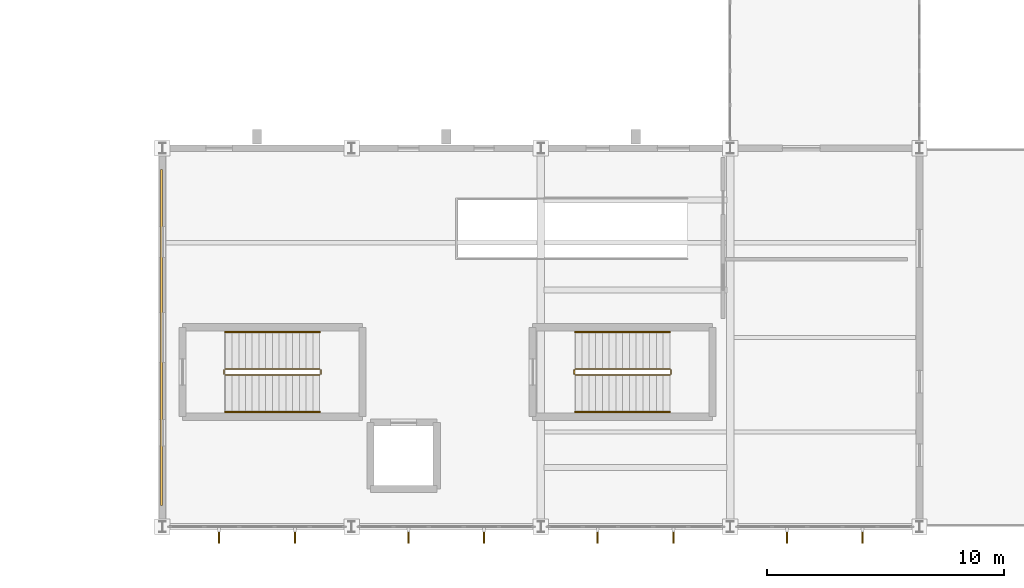
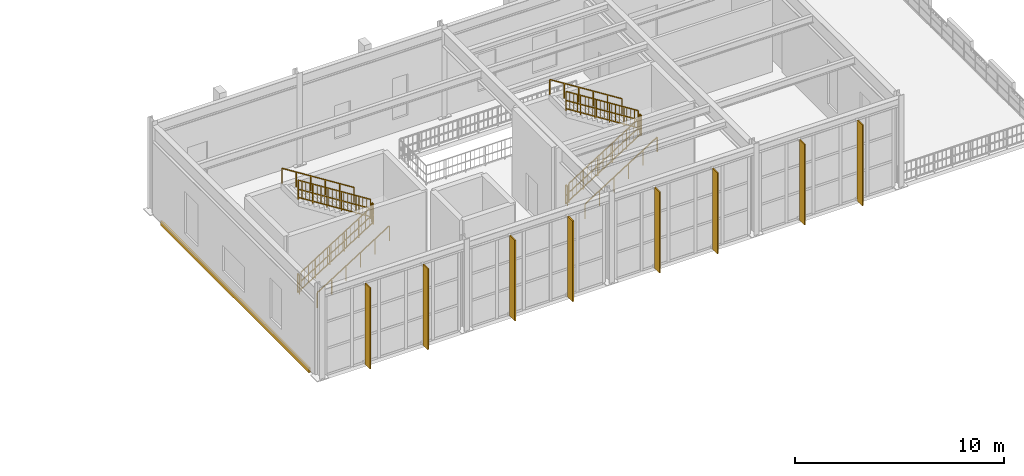
# One storey, part 76 of 82: 12 railings, 8 shading devices, 1 covering.
"""IFC4 building model written with IfcOpenShell, lengths in metres."""

from ifc_helpers import new_model, si_unit, direction, frame, origin, origin_2d, place, context, subcontext, project, spatial, rectangle, extrude, material, layer, layer_set, type_object, element, save


model = new_model("IFC4")

# Units and contexts
model_context = context("Model", 3, precision=1e-05, world=origin(), true_north=direction((0.0, 1.0)))
body_context = subcontext(model_context, "Body", "Model", "MODEL_VIEW")
ifc_project = project(units=[si_unit("LENGTHUNIT", "METRE"), si_unit("AREAUNIT", "SQUARE_METRE"), si_unit("VOLUMEUNIT", "CUBIC_METRE"), si_unit("PLANEANGLEUNIT", "RADIAN"), si_unit("MASSUNIT", "GRAM", prefix="KILO")], contexts=[model_context])

# Site, building, storey
site_placement = place(None, origin())
site = spatial("IfcSite", under=ifc_project, at=site_placement, CompositionType="ELEMENT")
building_placement = place(site_placement, origin())
building = spatial("IfcBuilding", under=site, at=building_placement, Name="Serraluz Foothill Cableway Terminal", CompositionType="ELEMENT")
storey_placement = place(building_placement, frame((0.0, 0.0, 9.60009765625)))
storey = spatial("IfcBuildingStorey", under=building, at=storey_placement, Name="L02", CompositionType="ELEMENT", Elevation=9.60009765625)

# Covering
ifc_material_1 = material(Name="Fired clay masonry brick (f'm 12 MPa)", Category="masonry")
ifc_layer_1 = layer(ifc_material_1, 0.090087890625, Name="Fired clay masonry brick (f'm 12 MPa)", Category="masonry")
ifc_layer_set_1 = layer_set([ifc_layer_1], Name="Fired clay masonry brick (f'm 12 MPa)")
covering_type = type_object("IfcCoveringType", Name="TYP-COV-CLAD-90", PredefinedType="CLADDING", material=ifc_layer_set_1)
covering_placement = place(storey_placement, frame((95.969970703125, 8.0, -0.2802734375), z_axis=(0.0, 0.0, 1.0), x_axis=(0.0, 1.0, 0.0)))
element("IfcCovering", 1, at=covering_placement, inside=storey, type_object=covering_type, Name="Terracotta Spandrel Relief Band COV-CLAD-V3W-1", PredefinedType="CLADDING", context=body_context, shape_type="SweptSolid", body=[
    extrude(rectangle(XDim=14.199951171875, YDim=0.090087890625, at=origin_2d()), origin(), (0.0, 0.0, 1.0), 0.280029296875),
])

# Railings
ifc_material_2 = material(Name="Steel ASTM A572 Grade 50", Category="steel")
ifc_layer_2 = layer(ifc_material_2, 0.054931640625, Name="Steel ASTM A572 Grade 50", Category="steel")
ifc_layer_set_2 = layer_set([ifc_layer_2], Name="Steel ASTM A572 Grade 50")
railing_type_1 = type_object("IfcRailingType", Name="TYP-RL-GRD-1150", PredefinedType="GUARDRAIL", material=ifc_layer_set_2)
railing_1_placement = place(storey_placement, frame((98.659912109375, 6.409912109375, 0.179931640625)))
element("IfcRailing", 2, at=railing_1_placement, inside=storey, type_object=railing_type_1, Name="L02 ST-06 stair guard 1", PredefinedType="GUARDRAIL", context=body_context, shape_type="SweptSolid", body=[
    extrude(rectangle(XDim=0.048095703125, YDim=0.048095703125, at=origin_2d()), frame((0.0, 0.0, 1.1259765625), z_axis=(0.845486444383, 0.0, 0.533996884227), x_axis=(0.0, 1.0, 0.0)), (0.0, 0.0, 1.0), 4.71923828125),
    extrude(rectangle(XDim=0.048095703125, YDim=0.048095703125, at=origin_2d()), frame((0.0, 0.0, 0.597900390625), z_axis=(0.845486444383, 0.0, 0.533996884227), x_axis=(0.0, 1.0, 0.0)), (0.0, 0.0, 1.0), 4.71923828125),
    extrude(rectangle(XDim=0.048095703125, YDim=0.048095703125, at=origin_2d()), frame((0.0, 0.0, 0.1201171875), z_axis=(0.845486444383, 0.0, 0.533996884227), x_axis=(0.0, 1.0, 0.0)), (0.0, 0.0, 1.0), 4.71923828125),
    extrude(rectangle(XDim=0.02001953125, YDim=0.02001953125, at=origin_2d()), frame((0.2099609375, 0.0, 0.252685546875)), (0.0, 0.0, 1.0), 0.981689453125),
    extrude(rectangle(XDim=0.02001953125, YDim=0.02001953125, at=origin_2d()), frame((0.419921875, 0.0, 0.38525390625)), (0.0, 0.0, 1.0), 0.981689453125),
    extrude(rectangle(XDim=0.02001953125, YDim=0.02001953125, at=origin_2d()), frame((0.6298828125, 0.0, 0.517822265625)), (0.0, 0.0, 1.0), 0.981689453125),
    extrude(rectangle(XDim=0.02001953125, YDim=0.02001953125, at=origin_2d()), frame((1.050048828125, 0.0, 0.783203125)), (0.0, 0.0, 1.0), 0.981689453125),
    extrude(rectangle(XDim=0.02001953125, YDim=0.02001953125, at=origin_2d()), frame((1.260009765625, 0.0, 0.915771484375)), (0.0, 0.0, 1.0), 0.981689453125),
    extrude(rectangle(XDim=0.02001953125, YDim=0.02001953125, at=origin_2d()), frame((1.469970703125, 0.0, 1.04833984375)), (0.0, 0.0, 1.0), 0.981689453125),
    extrude(rectangle(XDim=0.02001953125, YDim=0.02001953125, at=origin_2d()), frame((1.679931640625, 0.0, 1.18115234375)), (0.0, 0.0, 1.0), 0.981689453125),
    extrude(rectangle(XDim=0.02001953125, YDim=0.02001953125, at=origin_2d()), frame((1.889892578125, 0.0, 1.313720703125)), (0.0, 0.0, 1.0), 0.981689453125),
    extrude(rectangle(XDim=0.02001953125, YDim=0.02001953125, at=origin_2d()), frame((2.10009765625, 0.0, 1.4462890625)), (0.0, 0.0, 1.0), 0.981689453125),
    extrude(rectangle(XDim=0.02001953125, YDim=0.02001953125, at=origin_2d()), frame((2.31005859375, 0.0, 1.578857421875)), (0.0, 0.0, 1.0), 0.981689453125),
    extrude(rectangle(XDim=0.02001953125, YDim=0.02001953125, at=origin_2d()), frame((2.52001953125, 0.0, 1.711669921875)), (0.0, 0.0, 1.0), 0.981689453125),
    extrude(rectangle(XDim=0.02001953125, YDim=0.02001953125, at=origin_2d()), frame((2.72998046875, 0.0, 1.84423828125)), (0.0, 0.0, 1.0), 0.981689453125),
    extrude(rectangle(XDim=0.02001953125, YDim=0.02001953125, at=origin_2d()), frame((2.93994140625, 0.0, 1.976806640625)), (0.0, 0.0, 1.0), 0.981689453125),
    extrude(rectangle(XDim=0.02001953125, YDim=0.02001953125, at=origin_2d()), frame((3.360107421875, 0.0, 2.2421875)), (0.0, 0.0, 1.0), 0.981689453125),
    extrude(rectangle(XDim=0.02001953125, YDim=0.02001953125, at=origin_2d()), frame((3.570068359375, 0.0, 2.374755859375)), (0.0, 0.0, 1.0), 0.981689453125),
    extrude(rectangle(XDim=0.02001953125, YDim=0.02001953125, at=origin_2d()), frame((3.780029296875, 0.0, 2.50732421875)), (0.0, 0.0, 1.0), 0.981689453125),
    extrude(rectangle(XDim=0.0439453125, YDim=0.0439453125, at=origin_2d()), origin(), (0.0, 0.0, 1.0), 1.101806640625),
    extrude(rectangle(XDim=0.0439453125, YDim=0.0439453125, at=origin_2d()), frame((0.798095703125, 0.0, 0.50390625)), (0.0, 0.0, 1.0), 1.101806640625),
    extrude(rectangle(XDim=0.0439453125, YDim=0.0439453125, at=origin_2d()), frame((1.595947265625, 0.0, 1.008056640625)), (0.0, 0.0, 1.0), 1.101806640625),
    extrude(rectangle(XDim=0.0439453125, YDim=0.0439453125, at=origin_2d()), frame((2.39404296875, 0.0, 1.511962890625)), (0.0, 0.0, 1.0), 1.101806640625),
    extrude(rectangle(XDim=0.0439453125, YDim=0.0439453125, at=origin_2d()), frame((3.19189453125, 0.0, 2.01611328125)), (0.0, 0.0, 1.0), 1.101806640625),
    extrude(rectangle(XDim=0.0439453125, YDim=0.0439453125, at=origin_2d()), frame((3.989990234375, 0.0, 2.52001953125)), (0.0, 0.0, 1.0), 1.101806640625),
])
railing_2_placement = place(storey_placement, frame((102.699951171875, 6.4599609375, 2.699951171875)))
element("IfcRailing", 3, at=railing_2_placement, inside=storey, type_object=railing_type_1, Name="L02 ST-06 stair guard 2", PredefinedType="GUARDRAIL", context=body_context, shape_type="SweptSolid", body=[
    extrude(rectangle(XDim=0.048095703125, YDim=0.048095703125, at=origin_2d()), frame((0.0, 0.0, 1.1259765625), z_axis=(0.0, 1.0, 0.0), x_axis=(-1.0, 0.0, 0.0)), (0.0, 0.0, 1.0), 0.16015625),
    extrude(rectangle(XDim=0.048095703125, YDim=0.048095703125, at=origin_2d()), frame((0.0, 0.0, 0.597900390625), z_axis=(0.0, 1.0, 0.0), x_axis=(-1.0, 0.0, 0.0)), (0.0, 0.0, 1.0), 0.16015625),
    extrude(rectangle(XDim=0.048095703125, YDim=0.048095703125, at=origin_2d()), frame((0.0, 0.0, 0.1201171875), z_axis=(0.0, 1.0, 0.0), x_axis=(-1.0, 0.0, 0.0)), (0.0, 0.0, 1.0), 0.16015625),
    extrude(rectangle(XDim=0.0439453125, YDim=0.0439453125, at=origin_2d()), origin(), (0.0, 0.0, 1.0), 1.101806640625),
    extrude(rectangle(XDim=0.0439453125, YDim=0.0439453125, at=origin_2d()), frame((0.0, 0.16015625, 0.0)), (0.0, 0.0, 1.0), 1.101806640625),
])
railing_3_placement = place(storey_placement, frame((102.64990234375, 6.669921875, 2.8798828125)))
element("IfcRailing", 4, at=railing_3_placement, inside=storey, type_object=railing_type_1, Name="L02 ST-06 stair guard 3", PredefinedType="GUARDRAIL", context=body_context, shape_type="SweptSolid", body=[
    extrude(rectangle(XDim=0.048095703125, YDim=0.048095703125, at=origin_2d()), frame((0.0, 0.0, 1.1259765625), z_axis=(-0.845486444383, 0.0, 0.533996884227), x_axis=(0.0, -1.0, 0.0)), (0.0, 0.0, 1.0), 4.71923828125),
    extrude(rectangle(XDim=0.048095703125, YDim=0.048095703125, at=origin_2d()), frame((0.0, 0.0, 0.597900390625), z_axis=(-0.845486444383, 0.0, 0.533996884227), x_axis=(0.0, -1.0, 0.0)), (0.0, 0.0, 1.0), 4.71923828125),
    extrude(rectangle(XDim=0.048095703125, YDim=0.048095703125, at=origin_2d()), frame((0.0, 0.0, 0.1201171875), z_axis=(-0.845486444383, 0.0, 0.533996884227), x_axis=(0.0, -1.0, 0.0)), (0.0, 0.0, 1.0), 4.71923828125),
    extrude(rectangle(XDim=0.02001953125, YDim=0.02001953125, at=origin_2d()), frame((-0.2099609375, 0.0, 0.252685546875)), (0.0, 0.0, 1.0), 0.981689453125),
    extrude(rectangle(XDim=0.02001953125, YDim=0.02001953125, at=origin_2d()), frame((-0.419921875, 0.0, 0.38525390625)), (0.0, 0.0, 1.0), 0.981689453125),
    extrude(rectangle(XDim=0.02001953125, YDim=0.02001953125, at=origin_2d()), frame((-0.6298828125, 0.0, 0.517822265625)), (0.0, 0.0, 1.0), 0.981689453125),
    extrude(rectangle(XDim=0.02001953125, YDim=0.02001953125, at=origin_2d()), frame((-1.050048828125, 0.0, 0.783203125)), (0.0, 0.0, 1.0), 0.981689453125),
    extrude(rectangle(XDim=0.02001953125, YDim=0.02001953125, at=origin_2d()), frame((-1.260009765625, 0.0, 0.915771484375)), (0.0, 0.0, 1.0), 0.981689453125),
    extrude(rectangle(XDim=0.02001953125, YDim=0.02001953125, at=origin_2d()), frame((-1.469970703125, 0.0, 1.04833984375)), (0.0, 0.0, 1.0), 0.981689453125),
    extrude(rectangle(XDim=0.02001953125, YDim=0.02001953125, at=origin_2d()), frame((-1.679931640625, 0.0, 1.18115234375)), (0.0, 0.0, 1.0), 0.981689453125),
    extrude(rectangle(XDim=0.02001953125, YDim=0.02001953125, at=origin_2d()), frame((-1.889892578125, 0.0, 1.313720703125)), (0.0, 0.0, 1.0), 0.981689453125),
    extrude(rectangle(XDim=0.02001953125, YDim=0.02001953125, at=origin_2d()), frame((-2.10009765625, 0.0, 1.4462890625)), (0.0, 0.0, 1.0), 0.981689453125),
    extrude(rectangle(XDim=0.02001953125, YDim=0.02001953125, at=origin_2d()), frame((-2.31005859375, 0.0, 1.578857421875)), (0.0, 0.0, 1.0), 0.981689453125),
    extrude(rectangle(XDim=0.02001953125, YDim=0.02001953125, at=origin_2d()), frame((-2.52001953125, 0.0, 1.711669921875)), (0.0, 0.0, 1.0), 0.981689453125),
    extrude(rectangle(XDim=0.02001953125, YDim=0.02001953125, at=origin_2d()), frame((-2.72998046875, 0.0, 1.84423828125)), (0.0, 0.0, 1.0), 0.981689453125),
    extrude(rectangle(XDim=0.02001953125, YDim=0.02001953125, at=origin_2d()), frame((-2.93994140625, 0.0, 1.976806640625)), (0.0, 0.0, 1.0), 0.981689453125),
    extrude(rectangle(XDim=0.02001953125, YDim=0.02001953125, at=origin_2d()), frame((-3.360107421875, 0.0, 2.2421875)), (0.0, 0.0, 1.0), 0.981689453125),
    extrude(rectangle(XDim=0.02001953125, YDim=0.02001953125, at=origin_2d()), frame((-3.570068359375, 0.0, 2.374755859375)), (0.0, 0.0, 1.0), 0.981689453125),
    extrude(rectangle(XDim=0.02001953125, YDim=0.02001953125, at=origin_2d()), frame((-3.780029296875, 0.0, 2.50732421875)), (0.0, 0.0, 1.0), 0.981689453125),
    extrude(rectangle(XDim=0.0439453125, YDim=0.0439453125, at=origin_2d()), origin(), (0.0, 0.0, 1.0), 1.101806640625),
    extrude(rectangle(XDim=0.0439453125, YDim=0.0439453125, at=origin_2d()), frame((-0.798095703125, 0.0, 0.50390625)), (0.0, 0.0, 1.0), 1.101806640625),
    extrude(rectangle(XDim=0.0439453125, YDim=0.0439453125, at=origin_2d()), frame((-1.595947265625, 0.0, 1.008056640625)), (0.0, 0.0, 1.0), 1.101806640625),
    extrude(rectangle(XDim=0.0439453125, YDim=0.0439453125, at=origin_2d()), frame((-2.39404296875, 0.0, 1.511962890625)), (0.0, 0.0, 1.0), 1.101806640625),
    extrude(rectangle(XDim=0.0439453125, YDim=0.0439453125, at=origin_2d()), frame((-3.19189453125, 0.0, 2.01611328125)), (0.0, 0.0, 1.0), 1.101806640625),
    extrude(rectangle(XDim=0.0439453125, YDim=0.0439453125, at=origin_2d()), frame((-3.989990234375, 0.0, 2.52001953125)), (0.0, 0.0, 1.0), 1.101806640625),
])
railing_4_placement = place(storey_placement, frame((98.610107421875, 6.4599609375, 0.0)))
element("IfcRailing", 5, at=railing_4_placement, inside=storey, type_object=railing_type_1, Name="L02 ST-06 stair guard 4", PredefinedType="GUARDRAIL", context=body_context, shape_type="SweptSolid", body=[
    extrude(rectangle(XDim=0.048095703125, YDim=0.048095703125, at=origin_2d()), frame((0.0, 0.0, 1.1259765625), z_axis=(0.0, 1.0, 0.0), x_axis=(-1.0, 0.0, 0.0)), (0.0, 0.0, 1.0), 0.16015625),
    extrude(rectangle(XDim=0.048095703125, YDim=0.048095703125, at=origin_2d()), frame((0.0, 0.0, 0.597900390625), z_axis=(0.0, 1.0, 0.0), x_axis=(-1.0, 0.0, 0.0)), (0.0, 0.0, 1.0), 0.16015625),
    extrude(rectangle(XDim=0.048095703125, YDim=0.048095703125, at=origin_2d()), frame((0.0, 0.0, 0.1201171875), z_axis=(0.0, 1.0, 0.0), x_axis=(-1.0, 0.0, 0.0)), (0.0, 0.0, 1.0), 0.16015625),
    extrude(rectangle(XDim=0.0439453125, YDim=0.0439453125, at=origin_2d()), origin(), (0.0, 0.0, 1.0), 1.101806640625),
    extrude(rectangle(XDim=0.0439453125, YDim=0.0439453125, at=origin_2d()), frame((0.0, 0.16015625, 0.0)), (0.0, 0.0, 1.0), 1.101806640625),
])
railing_5_placement = place(storey_placement, frame((113.4599609375, 6.409912109375, 0.179931640625)))
element("IfcRailing", 6, at=railing_5_placement, inside=storey, type_object=railing_type_1, Name="L02 ST-07 stair guard 1", PredefinedType="GUARDRAIL", context=body_context, shape_type="SweptSolid", body=[
    extrude(rectangle(XDim=0.048095703125, YDim=0.048095703125, at=origin_2d()), frame((0.0, 0.0, 1.1259765625), z_axis=(0.845486444383, 0.0, 0.533996884227), x_axis=(0.0, 1.0, 0.0)), (0.0, 0.0, 1.0), 4.71923828125),
    extrude(rectangle(XDim=0.048095703125, YDim=0.048095703125, at=origin_2d()), frame((0.0, 0.0, 0.597900390625), z_axis=(0.845486444383, 0.0, 0.533996884227), x_axis=(0.0, 1.0, 0.0)), (0.0, 0.0, 1.0), 4.71923828125),
    extrude(rectangle(XDim=0.048095703125, YDim=0.048095703125, at=origin_2d()), frame((0.0, 0.0, 0.1201171875), z_axis=(0.845486444383, 0.0, 0.533996884227), x_axis=(0.0, 1.0, 0.0)), (0.0, 0.0, 1.0), 4.71923828125),
    extrude(rectangle(XDim=0.02001953125, YDim=0.02001953125, at=origin_2d()), frame((0.2099609375, 0.0, 0.252685546875)), (0.0, 0.0, 1.0), 0.981689453125),
    extrude(rectangle(XDim=0.02001953125, YDim=0.02001953125, at=origin_2d()), frame((0.419921875, 0.0, 0.38525390625)), (0.0, 0.0, 1.0), 0.981689453125),
    extrude(rectangle(XDim=0.02001953125, YDim=0.02001953125, at=origin_2d()), frame((0.6298828125, 0.0, 0.517822265625)), (0.0, 0.0, 1.0), 0.981689453125),
    extrude(rectangle(XDim=0.02001953125, YDim=0.02001953125, at=origin_2d()), frame((1.050048828125, 0.0, 0.783203125)), (0.0, 0.0, 1.0), 0.981689453125),
    extrude(rectangle(XDim=0.02001953125, YDim=0.02001953125, at=origin_2d()), frame((1.260009765625, 0.0, 0.915771484375)), (0.0, 0.0, 1.0), 0.981689453125),
    extrude(rectangle(XDim=0.02001953125, YDim=0.02001953125, at=origin_2d()), frame((1.469970703125, 0.0, 1.04833984375)), (0.0, 0.0, 1.0), 0.981689453125),
    extrude(rectangle(XDim=0.02001953125, YDim=0.02001953125, at=origin_2d()), frame((1.679931640625, 0.0, 1.18115234375)), (0.0, 0.0, 1.0), 0.981689453125),
    extrude(rectangle(XDim=0.02001953125, YDim=0.02001953125, at=origin_2d()), frame((1.889892578125, 0.0, 1.313720703125)), (0.0, 0.0, 1.0), 0.981689453125),
    extrude(rectangle(XDim=0.02001953125, YDim=0.02001953125, at=origin_2d()), frame((2.10009765625, 0.0, 1.4462890625)), (0.0, 0.0, 1.0), 0.981689453125),
    extrude(rectangle(XDim=0.02001953125, YDim=0.02001953125, at=origin_2d()), frame((2.31005859375, 0.0, 1.578857421875)), (0.0, 0.0, 1.0), 0.981689453125),
    extrude(rectangle(XDim=0.02001953125, YDim=0.02001953125, at=origin_2d()), frame((2.52001953125, 0.0, 1.711669921875)), (0.0, 0.0, 1.0), 0.981689453125),
    extrude(rectangle(XDim=0.02001953125, YDim=0.02001953125, at=origin_2d()), frame((2.72998046875, 0.0, 1.84423828125)), (0.0, 0.0, 1.0), 0.981689453125),
    extrude(rectangle(XDim=0.02001953125, YDim=0.02001953125, at=origin_2d()), frame((2.93994140625, 0.0, 1.976806640625)), (0.0, 0.0, 1.0), 0.981689453125),
    extrude(rectangle(XDim=0.02001953125, YDim=0.02001953125, at=origin_2d()), frame((3.360107421875, 0.0, 2.2421875)), (0.0, 0.0, 1.0), 0.981689453125),
    extrude(rectangle(XDim=0.02001953125, YDim=0.02001953125, at=origin_2d()), frame((3.570068359375, 0.0, 2.374755859375)), (0.0, 0.0, 1.0), 0.981689453125),
    extrude(rectangle(XDim=0.02001953125, YDim=0.02001953125, at=origin_2d()), frame((3.780029296875, 0.0, 2.50732421875)), (0.0, 0.0, 1.0), 0.981689453125),
    extrude(rectangle(XDim=0.0439453125, YDim=0.0439453125, at=origin_2d()), origin(), (0.0, 0.0, 1.0), 1.101806640625),
    extrude(rectangle(XDim=0.0439453125, YDim=0.0439453125, at=origin_2d()), frame((0.798095703125, 0.0, 0.50390625)), (0.0, 0.0, 1.0), 1.101806640625),
    extrude(rectangle(XDim=0.0439453125, YDim=0.0439453125, at=origin_2d()), frame((1.595947265625, 0.0, 1.008056640625)), (0.0, 0.0, 1.0), 1.101806640625),
    extrude(rectangle(XDim=0.0439453125, YDim=0.0439453125, at=origin_2d()), frame((2.39404296875, 0.0, 1.511962890625)), (0.0, 0.0, 1.0), 1.101806640625),
    extrude(rectangle(XDim=0.0439453125, YDim=0.0439453125, at=origin_2d()), frame((3.19189453125, 0.0, 2.01611328125)), (0.0, 0.0, 1.0), 1.101806640625),
    extrude(rectangle(XDim=0.0439453125, YDim=0.0439453125, at=origin_2d()), frame((3.989990234375, 0.0, 2.52001953125)), (0.0, 0.0, 1.0), 1.101806640625),
])
railing_6_placement = place(storey_placement, frame((117.5, 6.4599609375, 2.699951171875)))
element("IfcRailing", 7, at=railing_6_placement, inside=storey, type_object=railing_type_1, Name="L02 ST-07 stair guard 2", PredefinedType="GUARDRAIL", context=body_context, shape_type="SweptSolid", body=[
    extrude(rectangle(XDim=0.048095703125, YDim=0.048095703125, at=origin_2d()), frame((0.0, 0.0, 1.1259765625), z_axis=(0.0, 1.0, 0.0), x_axis=(-1.0, 0.0, 0.0)), (0.0, 0.0, 1.0), 0.16015625),
    extrude(rectangle(XDim=0.048095703125, YDim=0.048095703125, at=origin_2d()), frame((0.0, 0.0, 0.597900390625), z_axis=(0.0, 1.0, 0.0), x_axis=(-1.0, 0.0, 0.0)), (0.0, 0.0, 1.0), 0.16015625),
    extrude(rectangle(XDim=0.048095703125, YDim=0.048095703125, at=origin_2d()), frame((0.0, 0.0, 0.1201171875), z_axis=(0.0, 1.0, 0.0), x_axis=(-1.0, 0.0, 0.0)), (0.0, 0.0, 1.0), 0.16015625),
    extrude(rectangle(XDim=0.0439453125, YDim=0.0439453125, at=origin_2d()), origin(), (0.0, 0.0, 1.0), 1.101806640625),
    extrude(rectangle(XDim=0.0439453125, YDim=0.0439453125, at=origin_2d()), frame((0.0, 0.16015625, 0.0)), (0.0, 0.0, 1.0), 1.101806640625),
])
railing_7_placement = place(storey_placement, frame((117.449951171875, 6.669921875, 2.8798828125)))
element("IfcRailing", 8, at=railing_7_placement, inside=storey, type_object=railing_type_1, Name="L02 ST-07 stair guard 3", PredefinedType="GUARDRAIL", context=body_context, shape_type="SweptSolid", body=[
    extrude(rectangle(XDim=0.048095703125, YDim=0.048095703125, at=origin_2d()), frame((0.0, 0.0, 1.1259765625), z_axis=(-0.845486444383, 0.0, 0.533996884227), x_axis=(0.0, -1.0, 0.0)), (0.0, 0.0, 1.0), 4.71923828125),
    extrude(rectangle(XDim=0.048095703125, YDim=0.048095703125, at=origin_2d()), frame((0.0, 0.0, 0.597900390625), z_axis=(-0.845486444383, 0.0, 0.533996884227), x_axis=(0.0, -1.0, 0.0)), (0.0, 0.0, 1.0), 4.71923828125),
    extrude(rectangle(XDim=0.048095703125, YDim=0.048095703125, at=origin_2d()), frame((0.0, 0.0, 0.1201171875), z_axis=(-0.845486444383, 0.0, 0.533996884227), x_axis=(0.0, -1.0, 0.0)), (0.0, 0.0, 1.0), 4.71923828125),
    extrude(rectangle(XDim=0.02001953125, YDim=0.02001953125, at=origin_2d()), frame((-0.2099609375, 0.0, 0.252685546875)), (0.0, 0.0, 1.0), 0.981689453125),
    extrude(rectangle(XDim=0.02001953125, YDim=0.02001953125, at=origin_2d()), frame((-0.419921875, 0.0, 0.38525390625)), (0.0, 0.0, 1.0), 0.981689453125),
    extrude(rectangle(XDim=0.02001953125, YDim=0.02001953125, at=origin_2d()), frame((-0.6298828125, 0.0, 0.517822265625)), (0.0, 0.0, 1.0), 0.981689453125),
    extrude(rectangle(XDim=0.02001953125, YDim=0.02001953125, at=origin_2d()), frame((-1.050048828125, 0.0, 0.783203125)), (0.0, 0.0, 1.0), 0.981689453125),
    extrude(rectangle(XDim=0.02001953125, YDim=0.02001953125, at=origin_2d()), frame((-1.260009765625, 0.0, 0.915771484375)), (0.0, 0.0, 1.0), 0.981689453125),
    extrude(rectangle(XDim=0.02001953125, YDim=0.02001953125, at=origin_2d()), frame((-1.469970703125, 0.0, 1.04833984375)), (0.0, 0.0, 1.0), 0.981689453125),
    extrude(rectangle(XDim=0.02001953125, YDim=0.02001953125, at=origin_2d()), frame((-1.679931640625, 0.0, 1.18115234375)), (0.0, 0.0, 1.0), 0.981689453125),
    extrude(rectangle(XDim=0.02001953125, YDim=0.02001953125, at=origin_2d()), frame((-1.889892578125, 0.0, 1.313720703125)), (0.0, 0.0, 1.0), 0.981689453125),
    extrude(rectangle(XDim=0.02001953125, YDim=0.02001953125, at=origin_2d()), frame((-2.10009765625, 0.0, 1.4462890625)), (0.0, 0.0, 1.0), 0.981689453125),
    extrude(rectangle(XDim=0.02001953125, YDim=0.02001953125, at=origin_2d()), frame((-2.31005859375, 0.0, 1.578857421875)), (0.0, 0.0, 1.0), 0.981689453125),
    extrude(rectangle(XDim=0.02001953125, YDim=0.02001953125, at=origin_2d()), frame((-2.52001953125, 0.0, 1.711669921875)), (0.0, 0.0, 1.0), 0.981689453125),
    extrude(rectangle(XDim=0.02001953125, YDim=0.02001953125, at=origin_2d()), frame((-2.72998046875, 0.0, 1.84423828125)), (0.0, 0.0, 1.0), 0.981689453125),
    extrude(rectangle(XDim=0.02001953125, YDim=0.02001953125, at=origin_2d()), frame((-2.93994140625, 0.0, 1.976806640625)), (0.0, 0.0, 1.0), 0.981689453125),
    extrude(rectangle(XDim=0.02001953125, YDim=0.02001953125, at=origin_2d()), frame((-3.360107421875, 0.0, 2.2421875)), (0.0, 0.0, 1.0), 0.981689453125),
    extrude(rectangle(XDim=0.02001953125, YDim=0.02001953125, at=origin_2d()), frame((-3.570068359375, 0.0, 2.374755859375)), (0.0, 0.0, 1.0), 0.981689453125),
    extrude(rectangle(XDim=0.02001953125, YDim=0.02001953125, at=origin_2d()), frame((-3.780029296875, 0.0, 2.50732421875)), (0.0, 0.0, 1.0), 0.981689453125),
    extrude(rectangle(XDim=0.0439453125, YDim=0.0439453125, at=origin_2d()), origin(), (0.0, 0.0, 1.0), 1.101806640625),
    extrude(rectangle(XDim=0.0439453125, YDim=0.0439453125, at=origin_2d()), frame((-0.798095703125, 0.0, 0.50390625)), (0.0, 0.0, 1.0), 1.101806640625),
    extrude(rectangle(XDim=0.0439453125, YDim=0.0439453125, at=origin_2d()), frame((-1.595947265625, 0.0, 1.008056640625)), (0.0, 0.0, 1.0), 1.101806640625),
    extrude(rectangle(XDim=0.0439453125, YDim=0.0439453125, at=origin_2d()), frame((-2.39404296875, 0.0, 1.511962890625)), (0.0, 0.0, 1.0), 1.101806640625),
    extrude(rectangle(XDim=0.0439453125, YDim=0.0439453125, at=origin_2d()), frame((-3.19189453125, 0.0, 2.01611328125)), (0.0, 0.0, 1.0), 1.101806640625),
    extrude(rectangle(XDim=0.0439453125, YDim=0.0439453125, at=origin_2d()), frame((-3.989990234375, 0.0, 2.52001953125)), (0.0, 0.0, 1.0), 1.101806640625),
])
railing_8_placement = place(storey_placement, frame((113.409912109375, 6.4599609375, 0.0)))
element("IfcRailing", 9, at=railing_8_placement, inside=storey, type_object=railing_type_1, Name="L02 ST-07 stair guard 4", PredefinedType="GUARDRAIL", context=body_context, shape_type="SweptSolid", body=[
    extrude(rectangle(XDim=0.048095703125, YDim=0.048095703125, at=origin_2d()), frame((0.0, 0.0, 1.1259765625), z_axis=(0.0, 1.0, 0.0), x_axis=(-1.0, 0.0, 0.0)), (0.0, 0.0, 1.0), 0.16015625),
    extrude(rectangle(XDim=0.048095703125, YDim=0.048095703125, at=origin_2d()), frame((0.0, 0.0, 0.597900390625), z_axis=(0.0, 1.0, 0.0), x_axis=(-1.0, 0.0, 0.0)), (0.0, 0.0, 1.0), 0.16015625),
    extrude(rectangle(XDim=0.048095703125, YDim=0.048095703125, at=origin_2d()), frame((0.0, 0.0, 0.1201171875), z_axis=(0.0, 1.0, 0.0), x_axis=(-1.0, 0.0, 0.0)), (0.0, 0.0, 1.0), 0.16015625),
    extrude(rectangle(XDim=0.0439453125, YDim=0.0439453125, at=origin_2d()), origin(), (0.0, 0.0, 1.0), 1.101806640625),
    extrude(rectangle(XDim=0.0439453125, YDim=0.0439453125, at=origin_2d()), frame((0.0, 0.16015625, 0.0)), (0.0, 0.0, 1.0), 1.101806640625),
])
ifc_material_3 = material(Name="Architectural bronze alloy C28000", Category="aluminium")
ifc_layer_3 = layer(ifc_material_3, 0.048095703125, Name="Architectural bronze alloy C28000", Category="aluminium")
ifc_layer_set_3 = layer_set([ifc_layer_3], Name="Architectural bronze alloy C28000")
railing_type_2 = type_object("IfcRailingType", Name="TYP-RL-HND-920", PredefinedType="HANDRAIL", material=ifc_layer_set_3)
railing_9_placement = place(storey_placement, frame((98.659912109375, 4.85009765625, 0.179931640625)))
element("IfcRailing", 10, at=railing_9_placement, inside=storey, type_object=railing_type_2, Name="L02 ST-06 stair handrail 1", PredefinedType="HANDRAIL", context=body_context, shape_type="SweptSolid", body=[
    extrude(rectangle(XDim=0.048095703125, YDim=0.048095703125, at=origin_2d()), frame((0.0, 0.0, 0.8759765625), z_axis=(0.845486444383, 0.0, 0.533996884227), x_axis=(0.0, 1.0, 0.0)), (0.0, 0.0, 1.0), 4.71923828125),
    extrude(rectangle(XDim=0.0439453125, YDim=0.0439453125, at=origin_2d()), origin(), (0.0, 0.0, 1.0), 0.851806640625),
    extrude(rectangle(XDim=0.0439453125, YDim=0.0439453125, at=origin_2d()), frame((0.798095703125, 0.0, 0.50390625)), (0.0, 0.0, 1.0), 0.851806640625),
    extrude(rectangle(XDim=0.0439453125, YDim=0.0439453125, at=origin_2d()), frame((1.595947265625, 0.0, 1.008056640625)), (0.0, 0.0, 1.0), 0.851806640625),
    extrude(rectangle(XDim=0.0439453125, YDim=0.0439453125, at=origin_2d()), frame((2.39404296875, 0.0, 1.511962890625)), (0.0, 0.0, 1.0), 0.851806640625),
    extrude(rectangle(XDim=0.0439453125, YDim=0.0439453125, at=origin_2d()), frame((3.19189453125, 0.0, 2.01611328125)), (0.0, 0.0, 1.0), 0.851806640625),
    extrude(rectangle(XDim=0.0439453125, YDim=0.0439453125, at=origin_2d()), frame((3.989990234375, 0.0, 2.52001953125)), (0.0, 0.0, 1.0), 0.851806640625),
])
railing_10_placement = place(storey_placement, frame((102.64990234375, 8.22998046875, 2.8798828125)))
element("IfcRailing", 11, at=railing_10_placement, inside=storey, type_object=railing_type_2, Name="L02 ST-06 stair handrail 2", PredefinedType="HANDRAIL", context=body_context, shape_type="SweptSolid", body=[
    extrude(rectangle(XDim=0.048095703125, YDim=0.048095703125, at=origin_2d()), frame((0.0, 0.0, 0.8759765625), z_axis=(-0.845486444383, 0.0, 0.533996884227), x_axis=(0.0, -1.0, 0.0)), (0.0, 0.0, 1.0), 4.71923828125),
    extrude(rectangle(XDim=0.0439453125, YDim=0.0439453125, at=origin_2d()), origin(), (0.0, 0.0, 1.0), 0.851806640625),
    extrude(rectangle(XDim=0.0439453125, YDim=0.0439453125, at=origin_2d()), frame((-0.798095703125, 0.0, 0.50390625)), (0.0, 0.0, 1.0), 0.851806640625),
    extrude(rectangle(XDim=0.0439453125, YDim=0.0439453125, at=origin_2d()), frame((-1.595947265625, 0.0, 1.008056640625)), (0.0, 0.0, 1.0), 0.851806640625),
    extrude(rectangle(XDim=0.0439453125, YDim=0.0439453125, at=origin_2d()), frame((-2.39404296875, 0.0, 1.511962890625)), (0.0, 0.0, 1.0), 0.851806640625),
    extrude(rectangle(XDim=0.0439453125, YDim=0.0439453125, at=origin_2d()), frame((-3.19189453125, 0.0, 2.01611328125)), (0.0, 0.0, 1.0), 0.851806640625),
    extrude(rectangle(XDim=0.0439453125, YDim=0.0439453125, at=origin_2d()), frame((-3.989990234375, 0.0, 2.52001953125)), (0.0, 0.0, 1.0), 0.851806640625),
])
railing_11_placement = place(storey_placement, frame((113.4599609375, 4.85009765625, 0.179931640625)))
element("IfcRailing", 12, at=railing_11_placement, inside=storey, type_object=railing_type_2, Name="L02 ST-07 stair handrail 1", PredefinedType="HANDRAIL", context=body_context, shape_type="SweptSolid", body=[
    extrude(rectangle(XDim=0.048095703125, YDim=0.048095703125, at=origin_2d()), frame((0.0, 0.0, 0.8759765625), z_axis=(0.845486444383, 0.0, 0.533996884227), x_axis=(0.0, 1.0, 0.0)), (0.0, 0.0, 1.0), 4.71923828125),
    extrude(rectangle(XDim=0.0439453125, YDim=0.0439453125, at=origin_2d()), origin(), (0.0, 0.0, 1.0), 0.851806640625),
    extrude(rectangle(XDim=0.0439453125, YDim=0.0439453125, at=origin_2d()), frame((0.798095703125, 0.0, 0.50390625)), (0.0, 0.0, 1.0), 0.851806640625),
    extrude(rectangle(XDim=0.0439453125, YDim=0.0439453125, at=origin_2d()), frame((1.595947265625, 0.0, 1.008056640625)), (0.0, 0.0, 1.0), 0.851806640625),
    extrude(rectangle(XDim=0.0439453125, YDim=0.0439453125, at=origin_2d()), frame((2.39404296875, 0.0, 1.511962890625)), (0.0, 0.0, 1.0), 0.851806640625),
    extrude(rectangle(XDim=0.0439453125, YDim=0.0439453125, at=origin_2d()), frame((3.19189453125, 0.0, 2.01611328125)), (0.0, 0.0, 1.0), 0.851806640625),
    extrude(rectangle(XDim=0.0439453125, YDim=0.0439453125, at=origin_2d()), frame((3.989990234375, 0.0, 2.52001953125)), (0.0, 0.0, 1.0), 0.851806640625),
])
railing_12_placement = place(storey_placement, frame((117.449951171875, 8.22998046875, 2.8798828125)))
element("IfcRailing", 13, at=railing_12_placement, inside=storey, type_object=railing_type_2, Name="L02 ST-07 stair handrail 2", PredefinedType="HANDRAIL", context=body_context, shape_type="SweptSolid", body=[
    extrude(rectangle(XDim=0.048095703125, YDim=0.048095703125, at=origin_2d()), frame((0.0, 0.0, 0.8759765625), z_axis=(-0.845486444383, 0.0, 0.533996884227), x_axis=(0.0, -1.0, 0.0)), (0.0, 0.0, 1.0), 4.71923828125),
    extrude(rectangle(XDim=0.0439453125, YDim=0.0439453125, at=origin_2d()), origin(), (0.0, 0.0, 1.0), 0.851806640625),
    extrude(rectangle(XDim=0.0439453125, YDim=0.0439453125, at=origin_2d()), frame((-0.798095703125, 0.0, 0.50390625)), (0.0, 0.0, 1.0), 0.851806640625),
    extrude(rectangle(XDim=0.0439453125, YDim=0.0439453125, at=origin_2d()), frame((-1.595947265625, 0.0, 1.008056640625)), (0.0, 0.0, 1.0), 0.851806640625),
    extrude(rectangle(XDim=0.0439453125, YDim=0.0439453125, at=origin_2d()), frame((-2.39404296875, 0.0, 1.511962890625)), (0.0, 0.0, 1.0), 0.851806640625),
    extrude(rectangle(XDim=0.0439453125, YDim=0.0439453125, at=origin_2d()), frame((-3.19189453125, 0.0, 2.01611328125)), (0.0, 0.0, 1.0), 0.851806640625),
    extrude(rectangle(XDim=0.0439453125, YDim=0.0439453125, at=origin_2d()), frame((-3.989990234375, 0.0, 2.52001953125)), (0.0, 0.0, 1.0), 0.851806640625),
])

# Shading devices
shading_device_type = type_object("IfcShadingDeviceType", Name="TYP-SHD-FIN-480", PredefinedType="JALOUSIE", material=ifc_material_3)
for number, where, z_axis, x_axis, name in (
    (14, (98.39990234375, -0.455078125, 0.06005859375), (0.0, 0.0, 1.0), (1.0, 0.0, 0.0), "Belvedere Vertical Solar Fin SHD-0002"),
    (15, (101.60009765625, -0.455078125, 0.06005859375), (0.0, 0.0, 1.0), (1.0, 0.0, 0.0), "Belvedere Vertical Solar Fin SHD-0004"),
    (16, (106.39990234375, -0.455078125, 0.06005859375), (0.0, 0.0, 1.0), (1.0, 0.0, 0.0), "Belvedere Vertical Solar Fin SHD-0006"),
    (17, (109.60009765625, -0.455078125, 0.06005859375), (0.0, 0.0, 1.0), (1.0, 0.0, 0.0), "Belvedere Vertical Solar Fin SHD-0008"),
    (18, (114.39990234375, -0.455078125, 0.06005859375), (0.0, 0.0, 1.0), (1.0, 0.0, 0.0), "Belvedere Vertical Solar Fin SHD-0010"),
    (19, (117.60009765625, -0.455078125, 0.06005859375), (0.0, 0.0, 1.0), (1.0, 0.0, 0.0), "Belvedere Vertical Solar Fin SHD-0012"),
    (20, (122.39990234375, -0.455078125, 0.06005859375), (0.0, 0.0, 1.0), (1.0, 0.0, 0.0), "Belvedere Vertical Solar Fin SHD-0014"),
    (21, (125.60009765625, -0.455078125, 0.06005859375), (0.0, 0.0, 1.0), (1.0, 0.0, 0.0), "Belvedere Vertical Solar Fin SHD-0016"),
):
    element("IfcShadingDevice", number, at=place(storey_placement, frame(where, z_axis=z_axis, x_axis=x_axis)), inside=storey, type_object=shading_device_type, Name=name, PredefinedType="JALOUSIE", context=body_context, shape_type="SweptSolid", body=[
        extrude(rectangle(XDim=0.06494140625, YDim=0.47998046875, at=origin_2d()), origin(), (0.0, 0.0, 1.0), 4.719970703125),
    ])

save(model, "model.ifc")
